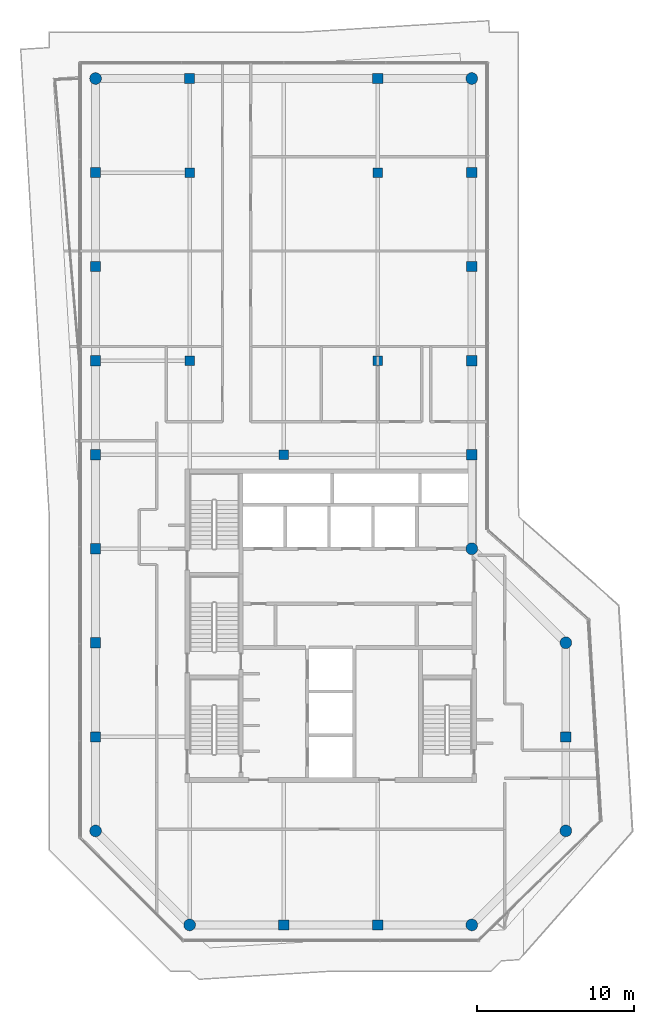
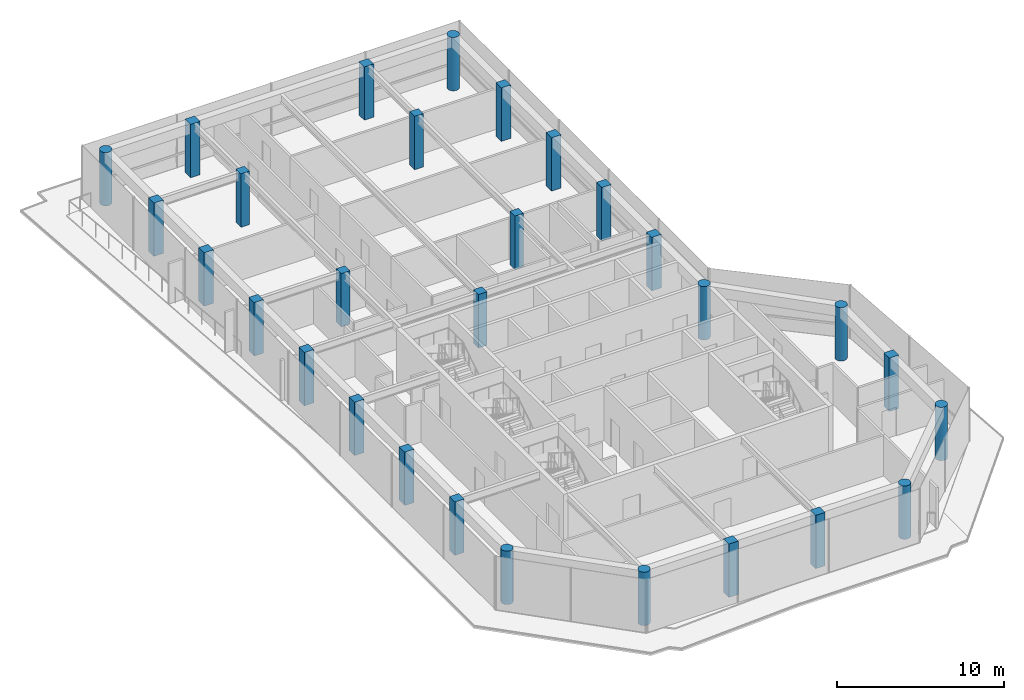
# One storey, part 1 of 22: 29 columns.
"""IFC4 building model written with IfcOpenShell, lengths in metres."""

from ifc_helpers import new_model, si_unit, direction, frame, origin, origin_2d, place, context, subcontext, project, spatial, rectangle, circle, extrude, material, material_profile, profile_set, type_object, element, save


model = new_model("IFC4")

# Units and contexts
model_context = context("Model", 3, precision=1e-05, world=origin(), true_north=direction((0.0, 1.0)))
body_context = subcontext(model_context, "Body", "Model", "MODEL_VIEW")
ifc_project = project(units=[si_unit("LENGTHUNIT", "METRE"), si_unit("AREAUNIT", "SQUARE_METRE"), si_unit("VOLUMEUNIT", "CUBIC_METRE"), si_unit("PLANEANGLEUNIT", "RADIAN"), si_unit("MASSUNIT", "GRAM", prefix="KILO")], contexts=[model_context])

# Site, building, storey
site_placement = place(None, origin())
site = spatial("IfcSite", under=ifc_project, at=site_placement, CompositionType="ELEMENT")
building_placement = place(site_placement, origin())
building = spatial("IfcBuilding", under=site, at=building_placement, Name="Welwitschia Terrace Campus", CompositionType="ELEMENT")
storey_placement = place(building_placement, frame((0.0, 0.0, 318.800048828125)))
storey = spatial("IfcBuildingStorey", under=building, at=storey_placement, Name="L71", CompositionType="ELEMENT", Elevation=318.800048828125)

# Columns
ifc_material_1 = material(Name="Concrete C40/50", Category="concrete")
ifc_material_profile_1 = material_profile(ifc_material_1, circle(Radius=0.375, at=origin_2d()))
ifc_profile_set_1 = profile_set([ifc_material_profile_1], Name="Concrete C40/50")
column_type_1 = type_object("IfcColumnType", Name="Corner column 750 dia", PredefinedType="COLUMN", material=ifc_profile_set_1)
for number, where, z_axis, x_axis, name in (
    (1, (0.0, 2.0, 0.0), (0.0, 0.0, 1.0), (1.0, 0.0, 0.0), "Column C44"),
    (2, (0.0, 50.0, 0.0), (0.0, 0.0, 1.0), (1.0, 0.0, 0.0), "Column C44"),
    (3, (6.0, -4.0, 0.0), (0.0, 0.0, 1.0), (1.0, 0.0, 0.0), "Column C44"),
    (4, (24.0, -4.0, 0.0), (0.0, 0.0, 1.0), (1.0, 0.0, 0.0), "Column C44"),
    (5, (24.0, 20.0, 0.0), (0.0, 0.0, 1.0), (1.0, 0.0, 0.0), "Column C44"),
    (6, (24.0, 50.0, 0.0), (0.0, 0.0, 1.0), (1.0, 0.0, 0.0), "Column C44"),
    (7, (30.0, 2.0, 0.0), (0.0, 0.0, 1.0), (1.0, 0.0, 0.0), "Column C44"),
    (8, (30.0, 14.0, 0.0), (0.0, 0.0, 1.0), (1.0, 0.0, 0.0), "Column C44"),
):
    element("IfcColumn", number, at=place(storey_placement, frame(where, z_axis=z_axis, x_axis=x_axis)), inside=storey, type_object=column_type_1, Name=name, PredefinedType="COLUMN", context=body_context, shape_type="SweptSolid", body=[
        extrude(circle(Radius=0.375, at=origin_2d()), origin(), (0.0, 0.0, 1.0), 3.89990234375),
    ])
ifc_material_2 = material(Name="Concrete C40/50", Category="concrete")
ifc_material_profile_2 = material_profile(ifc_material_2, rectangle(XDim=0.60009765625, YDim=0.60009765625, at=origin_2d()))
ifc_profile_set_2 = profile_set([ifc_material_profile_2], Name="Concrete C40/50")
column_type_2 = type_object("IfcColumnType", Name="Interior column 600x600", PredefinedType="COLUMN", material=ifc_profile_set_2)
for number, where, z_axis, x_axis, name in (
    (9, (6.0, 32.0, 0.0), (0.0, 0.0, 1.0), (1.0, 0.0, 0.0), "Column C46"),
    (10, (6.0, 44.0, 0.0), (0.0, 0.0, 1.0), (1.0, 0.0, 0.0), "Column C46"),
    (11, (12.0, 26.0, 0.0), (0.0, 0.0, 1.0), (1.0, 0.0, 0.0), "Column C46"),
    (12, (18.0, 32.0, 0.0), (0.0, 0.0, 1.0), (1.0, 0.0, 0.0), "Column C46"),
    (13, (18.0, 44.0, 0.0), (0.0, 0.0, 1.0), (1.0, 0.0, 0.0), "Column C46"),
):
    element("IfcColumn", number, at=place(storey_placement, frame(where, z_axis=z_axis, x_axis=x_axis)), inside=storey, type_object=column_type_2, Name=name, PredefinedType="COLUMN", context=body_context, shape_type="SweptSolid", body=[
        extrude(rectangle(XDim=0.60009765625, YDim=0.60009765625, at=origin_2d()), origin(), (0.0, 0.0, 1.0), 3.89990234375),
    ])
ifc_material_3 = material(Name="Concrete C40/50", Category="concrete")
ifc_material_profile_3 = material_profile(ifc_material_3, rectangle(XDim=0.64990234375, YDim=0.64990234375, at=origin_2d()))
ifc_profile_set_3 = profile_set([ifc_material_profile_3], Name="Concrete C40/50")
column_type_3 = type_object("IfcColumnType", Name="Ring column 650x650", PredefinedType="COLUMN", material=ifc_profile_set_3)
for number, where, z_axis, x_axis, name in (
    (14, (0.0, 8.0, 0.0), (0.0, 0.0, 1.0), (1.0, 0.0, 0.0), "Column C45"),
    (15, (0.0, 14.0, 0.0), (0.0, 0.0, 1.0), (1.0, 0.0, 0.0), "Column C45"),
    (16, (0.0, 20.0, 0.0), (0.0, 0.0, 1.0), (1.0, 0.0, 0.0), "Column C45"),
    (17, (0.0, 26.0, 0.0), (0.0, 0.0, 1.0), (1.0, 0.0, 0.0), "Column C45"),
    (18, (0.0, 32.0, 0.0), (0.0, 0.0, 1.0), (1.0, 0.0, 0.0), "Column C45"),
    (19, (0.0, 38.0, 0.0), (0.0, 0.0, 1.0), (1.0, 0.0, 0.0), "Column C45"),
    (20, (0.0, 44.0, 0.0), (0.0, 0.0, 1.0), (1.0, 0.0, 0.0), "Column C45"),
    (21, (6.0, 50.0, 0.0), (0.0, 0.0, 1.0), (1.0, 0.0, 0.0), "Column C45"),
    (22, (12.0, -4.0, 0.0), (0.0, 0.0, 1.0), (1.0, 0.0, 0.0), "Column C45"),
    (23, (18.0, -4.0, 0.0), (0.0, 0.0, 1.0), (1.0, 0.0, 0.0), "Column C45"),
    (24, (18.0, 50.0, 0.0), (0.0, 0.0, 1.0), (1.0, 0.0, 0.0), "Column C45"),
    (25, (24.0, 26.0, 0.0), (0.0, 0.0, 1.0), (1.0, 0.0, 0.0), "Column C45"),
    (26, (24.0, 32.0, 0.0), (0.0, 0.0, 1.0), (1.0, 0.0, 0.0), "Column C45"),
    (27, (24.0, 38.0, 0.0), (0.0, 0.0, 1.0), (1.0, 0.0, 0.0), "Column C45"),
    (28, (24.0, 44.0, 0.0), (0.0, 0.0, 1.0), (1.0, 0.0, 0.0), "Column C45"),
    (29, (30.0, 8.0, 0.0), (0.0, 0.0, 1.0), (1.0, 0.0, 0.0), "Column C45"),
):
    element("IfcColumn", number, at=place(storey_placement, frame(where, z_axis=z_axis, x_axis=x_axis)), inside=storey, type_object=column_type_3, Name=name, PredefinedType="COLUMN", context=body_context, shape_type="SweptSolid", body=[
        extrude(rectangle(XDim=0.64990234375, YDim=0.64990234375, at=origin_2d()), origin(), (0.0, 0.0, 1.0), 3.89990234375),
    ])

save(model, "model.ifc")
